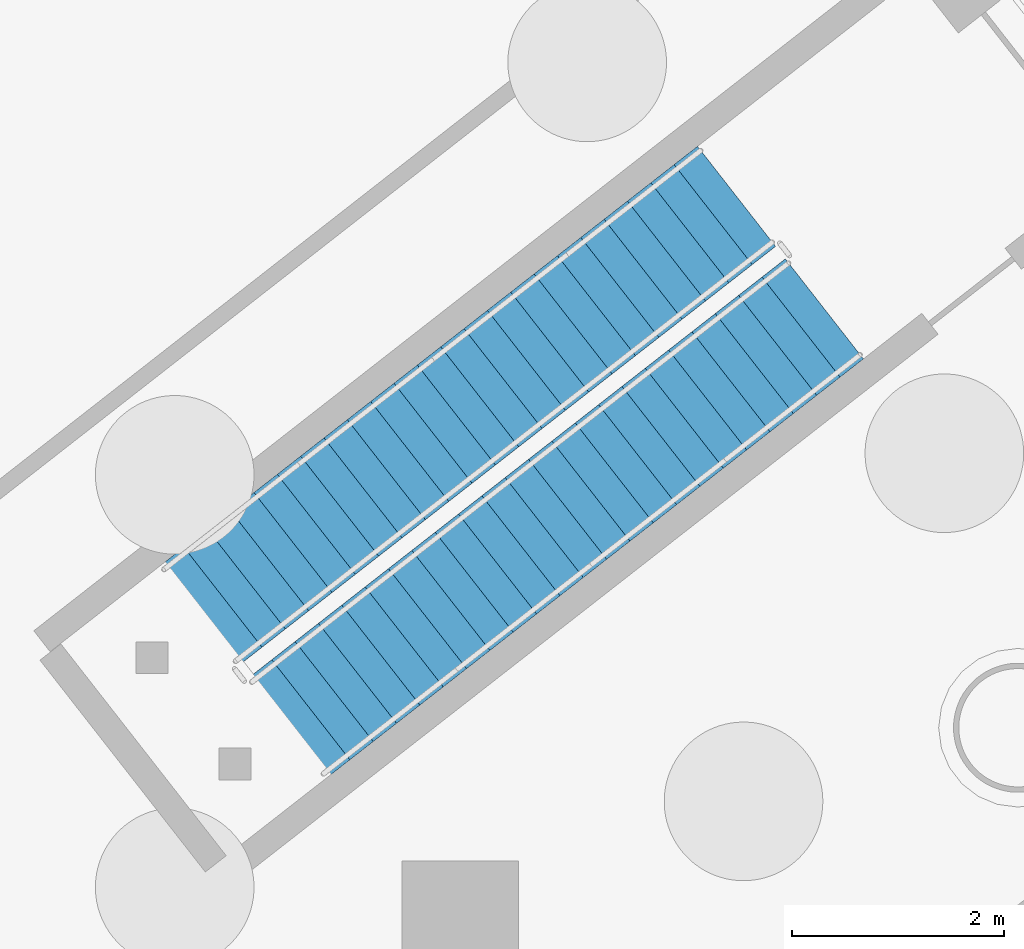
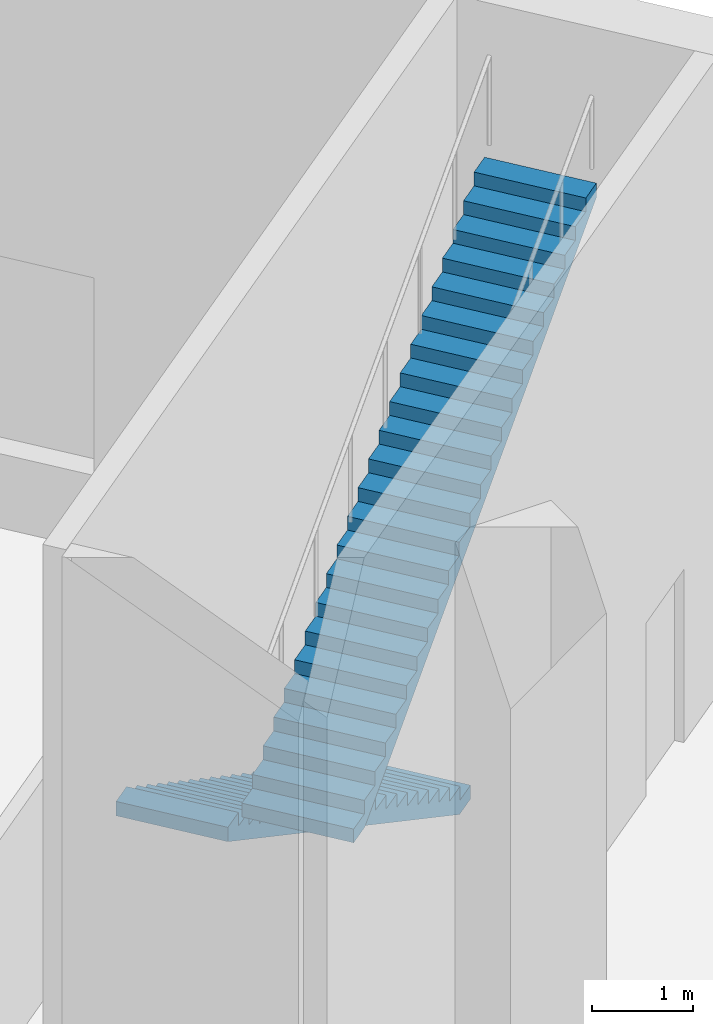
# One storey, part 26 of 34: 2 stair flights, 1 element without a shape of its own.
"""IFC4 building model written with IfcOpenShell, lengths in metres."""

from ifc_helpers import new_model, si_unit, direction, frame, origin, place, context, subcontext, project, spatial, faceted_brep, material, type_object, element, aggregate, save


model = new_model("IFC4")

# Units and contexts
model_context = context("Model", 3, precision=1e-05, world=origin(), true_north=direction((0.0, 1.0)))
body_context = subcontext(model_context, "Body", "Model", "MODEL_VIEW")
ifc_project = project(units=[si_unit("LENGTHUNIT", "METRE"), si_unit("AREAUNIT", "SQUARE_METRE"), si_unit("VOLUMEUNIT", "CUBIC_METRE"), si_unit("PLANEANGLEUNIT", "RADIAN"), si_unit("MASSUNIT", "GRAM", prefix="KILO")], contexts=[model_context])

# Site, building, storey
site_placement = place(None, origin())
site = spatial("IfcSite", under=ifc_project, at=site_placement, CompositionType="ELEMENT")
building_placement = place(site_placement, origin())
building = spatial("IfcBuilding", under=site, at=building_placement, Name="Tarsis Ring Headquarters", CompositionType="ELEMENT")
storey_placement = place(building_placement, origin())
storey = spatial("IfcBuildingStorey", under=building, at=storey_placement, Name="L00", CompositionType="ELEMENT", Elevation=0.0)

# Stair, stair flights
ifc_material = material(Name="Concrete C40/50", Category="concrete")
stair_type = type_object("IfcStairType", Name="PO-ST", PredefinedType="HALF_TURN_STAIR", material=ifc_material)
stair_placement = place(storey_placement, origin())
stair = element("IfcStair", 1, at=stair_placement, inside=storey, type_object=stair_type, Name="L00 Podium stair", PredefinedType="HALF_TURN_STAIR")
stair_flight_type = type_object("IfcStairFlightType", Name="PO-STF", PredefinedType="STRAIGHT", material=ifc_material)
stair_flight_1_placement = place(storey_placement, frame((-6.387939453125, 33.8330078125, 0.0), z_axis=(0.0, 0.0, 1.0), x_axis=(-0.788276433435, -0.615321269331, 0.0)))
stair_flight_1 = element("IfcStairFlight", 2, at=stair_flight_1_placement, type_object=stair_flight_type, Name="Stair PS3 flight 1", NumberOfRisers=24, NumberOfTreads=23, PredefinedType="STRAIGHT", RiserHeight=0.166666667, TreadLength=0.28, context=body_context, shape_type="Brep", body=[
    faceted_brep([(0.0, 0.60009765625, 0.0), (0.0, 0.60009765625, 0.166748046875), (0.280029296875, 0.60009765625, 0.166748046875), (0.280029296875, 0.60009765625, 0.333251953125), (0.56005859375, 0.60009765625, 0.333251953125), (0.56005859375, 0.60009765625, 0.5), (0.840087890625, 0.60009765625, 0.5), (0.840087890625, 0.60009765625, 0.666748046875), (1.1201171875, 0.60009765625, 0.666748046875), (1.1201171875, 0.60009765625, 0.833251953125), (1.39990234375, 0.60009765625, 0.833251953125), (1.39990234375, 0.60009765625, 1.0), (1.679931640625, 0.60009765625, 1.0), (1.679931640625, 0.60009765625, 1.166748046875), (1.9599609375, 0.60009765625, 1.166748046875), (1.9599609375, 0.60009765625, 1.333251953125), (2.239990234375, 0.60009765625, 1.333251953125), (2.239990234375, 0.60009765625, 1.5), (2.52001953125, 0.60009765625, 1.5), (2.52001953125, 0.60009765625, 1.666748046875), (2.800048828125, 0.60009765625, 1.666748046875), (2.800048828125, 0.60009765625, 1.833251953125), (3.080078125, 0.60009765625, 1.833251953125), (3.080078125, 0.60009765625, 2.0), (3.360107421875, 0.60009765625, 2.0), (3.360107421875, 0.60009765625, 2.166748046875), (3.639892578125, 0.60009765625, 2.166748046875), (3.639892578125, 0.60009765625, 2.333251953125), (3.919921875, 0.60009765625, 2.333251953125), (3.919921875, 0.60009765625, 2.5), (4.199951171875, 0.60009765625, 2.5), (4.199951171875, 0.60009765625, 2.666748046875), (4.47998046875, 0.60009765625, 2.666748046875), (4.47998046875, 0.60009765625, 2.833251953125), (4.760009765625, 0.60009765625, 2.833251953125), (4.760009765625, 0.60009765625, 3.0), (5.0400390625, 0.60009765625, 3.0), (5.0400390625, 0.60009765625, 3.166748046875), (5.320068359375, 0.60009765625, 3.166748046875), (5.320068359375, 0.60009765625, 3.333251953125), (5.60009765625, 0.60009765625, 3.333251953125), (5.60009765625, 0.60009765625, 3.5), (5.8798828125, 0.60009765625, 3.5), (5.8798828125, 0.60009765625, 3.666748046875), (6.159912109375, 0.60009765625, 3.666748046875), (6.159912109375, 0.60009765625, 3.833251953125), (6.43994140625, 0.60009765625, 3.833251953125), (6.43994140625, 0.60009765625, 3.658935546875), (0.29296875, 0.60009765625, 0.0), (0.29296875, -0.60009765625, 0.0), (6.43994140625, -0.60009765625, 3.658935546875), (6.43994140625, -0.60009765625, 3.833251953125), (6.159912109375, -0.60009765625, 3.833251953125), (6.159912109375, -0.60009765625, 3.666748046875), (5.8798828125, -0.60009765625, 3.666748046875), (5.8798828125, -0.60009765625, 3.5), (5.60009765625, -0.60009765625, 3.5), (5.60009765625, -0.60009765625, 3.333251953125), (5.320068359375, -0.60009765625, 3.333251953125), (5.320068359375, -0.60009765625, 3.166748046875), (5.0400390625, -0.60009765625, 3.166748046875), (5.0400390625, -0.60009765625, 3.0), (4.760009765625, -0.60009765625, 3.0), (4.760009765625, -0.60009765625, 2.833251953125), (4.47998046875, -0.60009765625, 2.833251953125), (4.47998046875, -0.60009765625, 2.666748046875), (4.199951171875, -0.60009765625, 2.666748046875), (4.199951171875, -0.60009765625, 2.5), (3.919921875, -0.60009765625, 2.5), (3.919921875, -0.60009765625, 2.333251953125), (3.639892578125, -0.60009765625, 2.333251953125), (3.639892578125, -0.60009765625, 2.166748046875), (3.360107421875, -0.60009765625, 2.166748046875), (3.360107421875, -0.60009765625, 2.0), (3.080078125, -0.60009765625, 2.0), (3.080078125, -0.60009765625, 1.833251953125), (2.800048828125, -0.60009765625, 1.833251953125), (2.800048828125, -0.60009765625, 1.666748046875), (2.52001953125, -0.60009765625, 1.666748046875), (2.52001953125, -0.60009765625, 1.5), (2.239990234375, -0.60009765625, 1.5), (2.239990234375, -0.60009765625, 1.333251953125), (1.9599609375, -0.60009765625, 1.333251953125), (1.9599609375, -0.60009765625, 1.166748046875), (1.679931640625, -0.60009765625, 1.166748046875), (1.679931640625, -0.60009765625, 1.0), (1.39990234375, -0.60009765625, 1.0), (1.39990234375, -0.60009765625, 0.833251953125), (1.1201171875, -0.60009765625, 0.833251953125), (1.1201171875, -0.60009765625, 0.666748046875), (0.840087890625, -0.60009765625, 0.666748046875), (0.840087890625, -0.60009765625, 0.5), (0.56005859375, -0.60009765625, 0.5), (0.56005859375, -0.60009765625, 0.333251953125), (0.280029296875, -0.60009765625, 0.333251953125), (0.280029296875, -0.60009765625, 0.166748046875), (0.0, -0.60009765625, 0.166748046875), (0.0, -0.60009765625, 0.0), (0.0, -0.300048828125, 0.166748046875), (0.0, -0.300048828125, 0.0), (0.0, 0.0, 0.166748046875), (0.0, 0.0, 0.0), (0.0, 0.300048828125, 0.166748046875), (0.0, 0.300048828125, 0.0), (0.280029296875, -0.300048828125, 0.166748046875), (0.280029296875, 0.0, 0.166748046875), (0.280029296875, 0.300048828125, 0.166748046875), (0.280029296875, -0.300048828125, 0.333251953125), (0.280029296875, 0.0, 0.333251953125), (0.280029296875, 0.300048828125, 0.333251953125), (0.56005859375, -0.300048828125, 0.333251953125), (0.56005859375, 0.0, 0.333251953125), (0.56005859375, 0.300048828125, 0.333251953125), (0.56005859375, -0.300048828125, 0.5), (0.56005859375, 0.0, 0.5), (0.56005859375, 0.300048828125, 0.5), (0.840087890625, -0.300048828125, 0.5), (0.840087890625, 0.0, 0.5), (0.840087890625, 0.300048828125, 0.5), (0.840087890625, -0.300048828125, 0.666748046875), (0.840087890625, 0.0, 0.666748046875), (0.840087890625, 0.300048828125, 0.666748046875), (1.1201171875, -0.300048828125, 0.666748046875), (1.1201171875, 0.0, 0.666748046875), (1.1201171875, 0.300048828125, 0.666748046875), (1.1201171875, -0.300048828125, 0.833251953125), (1.1201171875, 0.0, 0.833251953125), (1.1201171875, 0.300048828125, 0.833251953125), (1.39990234375, -0.300048828125, 0.833251953125), (1.39990234375, 0.0, 0.833251953125), (1.39990234375, 0.300048828125, 0.833251953125), (1.39990234375, -0.300048828125, 1.0), (1.39990234375, 0.0, 1.0), (1.39990234375, 0.300048828125, 1.0), (1.679931640625, -0.300048828125, 1.0), (1.679931640625, 0.0, 1.0), (1.679931640625, 0.300048828125, 1.0), (1.679931640625, -0.300048828125, 1.166748046875), (1.679931640625, 0.0, 1.166748046875), (1.679931640625, 0.300048828125, 1.166748046875), (1.9599609375, -0.300048828125, 1.166748046875), (1.9599609375, 0.0, 1.166748046875), (1.9599609375, 0.300048828125, 1.166748046875), (1.9599609375, -0.300048828125, 1.333251953125), (1.9599609375, 0.0, 1.333251953125), (1.9599609375, 0.300048828125, 1.333251953125), (2.239990234375, -0.300048828125, 1.333251953125), (2.239990234375, 0.0, 1.333251953125), (2.239990234375, 0.300048828125, 1.333251953125), (2.239990234375, -0.300048828125, 1.5), (2.239990234375, 0.0, 1.5), (2.239990234375, 0.300048828125, 1.5), (2.52001953125, -0.300048828125, 1.5), (2.52001953125, 0.0, 1.5), (2.52001953125, 0.300048828125, 1.5), (2.52001953125, -0.300048828125, 1.666748046875), (2.52001953125, 0.0, 1.666748046875), (2.52001953125, 0.300048828125, 1.666748046875), (2.800048828125, -0.300048828125, 1.666748046875), (2.800048828125, 0.0, 1.666748046875), (2.800048828125, 0.300048828125, 1.666748046875), (2.800048828125, -0.300048828125, 1.833251953125), (2.800048828125, 0.0, 1.833251953125), (2.800048828125, 0.300048828125, 1.833251953125), (3.080078125, -0.300048828125, 1.833251953125), (3.080078125, 0.0, 1.833251953125), (3.080078125, 0.300048828125, 1.833251953125), (3.080078125, -0.300048828125, 2.0), (3.080078125, 0.0, 2.0), (3.080078125, 0.300048828125, 2.0), (3.360107421875, -0.300048828125, 2.0), (3.360107421875, 0.0, 2.0), (3.360107421875, 0.300048828125, 2.0), (3.360107421875, -0.300048828125, 2.166748046875), (3.360107421875, 0.0, 2.166748046875), (3.360107421875, 0.300048828125, 2.166748046875), (3.639892578125, -0.300048828125, 2.166748046875), (3.639892578125, 0.0, 2.166748046875), (3.639892578125, 0.300048828125, 2.166748046875), (3.639892578125, -0.300048828125, 2.333251953125), (3.639892578125, 0.0, 2.333251953125), (3.639892578125, 0.300048828125, 2.333251953125), (3.919921875, -0.300048828125, 2.333251953125), (3.919921875, 0.0, 2.333251953125), (3.919921875, 0.300048828125, 2.333251953125), (3.919921875, -0.300048828125, 2.5), (3.919921875, 0.0, 2.5), (3.919921875, 0.300048828125, 2.5), (4.199951171875, -0.300048828125, 2.5), (4.199951171875, 0.0, 2.5), (4.199951171875, 0.300048828125, 2.5), (4.199951171875, -0.300048828125, 2.666748046875), (4.199951171875, 0.0, 2.666748046875), (4.199951171875, 0.300048828125, 2.666748046875), (4.47998046875, -0.300048828125, 2.666748046875), (4.47998046875, 0.0, 2.666748046875), (4.47998046875, 0.300048828125, 2.666748046875), (4.47998046875, -0.300048828125, 2.833251953125), (4.47998046875, 0.0, 2.833251953125), (4.47998046875, 0.300048828125, 2.833251953125), (4.760009765625, -0.300048828125, 2.833251953125), (4.760009765625, 0.0, 2.833251953125), (4.760009765625, 0.300048828125, 2.833251953125), (4.760009765625, -0.300048828125, 3.0), (4.760009765625, 0.0, 3.0), (4.760009765625, 0.300048828125, 3.0), (5.0400390625, -0.300048828125, 3.0), (5.0400390625, 0.0, 3.0), (5.0400390625, 0.300048828125, 3.0), (5.0400390625, -0.300048828125, 3.166748046875), (5.0400390625, 0.0, 3.166748046875), (5.0400390625, 0.300048828125, 3.166748046875), (5.320068359375, -0.300048828125, 3.166748046875), (5.320068359375, 0.0, 3.166748046875), (5.320068359375, 0.300048828125, 3.166748046875), (5.320068359375, -0.300048828125, 3.333251953125), (5.320068359375, 0.0, 3.333251953125), (5.320068359375, 0.300048828125, 3.333251953125), (5.60009765625, -0.300048828125, 3.333251953125), (5.60009765625, 0.0, 3.333251953125), (5.60009765625, 0.300048828125, 3.333251953125), (5.60009765625, -0.300048828125, 3.5), (5.60009765625, 0.0, 3.5), (5.60009765625, 0.300048828125, 3.5), (5.8798828125, -0.300048828125, 3.5), (5.8798828125, 0.0, 3.5), (5.8798828125, 0.300048828125, 3.5), (5.8798828125, -0.300048828125, 3.666748046875), (5.8798828125, 0.0, 3.666748046875), (5.8798828125, 0.300048828125, 3.666748046875), (6.159912109375, -0.300048828125, 3.666748046875), (6.159912109375, 0.0, 3.666748046875), (6.159912109375, 0.300048828125, 3.666748046875), (6.159912109375, -0.300048828125, 3.833251953125), (6.159912109375, 0.0, 3.833251953125), (6.159912109375, 0.300048828125, 3.833251953125), (6.43994140625, -0.300048828125, 3.833251953125), (6.43994140625, 0.0, 3.833251953125), (6.43994140625, 0.300048828125, 3.833251953125), (6.43994140625, -0.300048828125, 3.658935546875), (6.43994140625, 0.0, 3.658935546875), (6.43994140625, 0.300048828125, 3.658935546875), (0.29296875, -0.300048828125, 0.0), (0.29296875, 0.0, 0.0), (0.29296875, 0.300048828125, 0.0)], [[[0, 1, 2, 3, 4, 5, 6, 7, 8, 9, 10, 11, 12, 13, 14, 15, 16, 17, 18, 19, 20, 21, 22, 23, 24, 25, 26, 27, 28, 29, 30, 31, 32, 33, 34, 35, 36, 37, 38, 39, 40, 41, 42, 43, 44, 45, 46, 47, 48]], [[49, 50, 51, 52, 53, 54, 55, 56, 57, 58, 59, 60, 61, 62, 63, 64, 65, 66, 67, 68, 69, 70, 71, 72, 73, 74, 75, 76, 77, 78, 79, 80, 81, 82, 83, 84, 85, 86, 87, 88, 89, 90, 91, 92, 93, 94, 95, 96, 97]], [[97, 96, 98, 99]], [[99, 98, 100, 101]], [[101, 100, 102, 103]], [[103, 102, 1, 0]], [[96, 95, 104, 98]], [[98, 104, 105, 100]], [[100, 105, 106, 102]], [[102, 106, 2, 1]], [[95, 94, 107, 104]], [[104, 107, 108, 105]], [[105, 108, 109, 106]], [[106, 109, 3, 2]], [[94, 93, 110, 107]], [[107, 110, 111, 108]], [[108, 111, 112, 109]], [[109, 112, 4, 3]], [[93, 92, 113, 110]], [[110, 113, 114, 111]], [[111, 114, 115, 112]], [[112, 115, 5, 4]], [[92, 91, 116, 113]], [[113, 116, 117, 114]], [[114, 117, 118, 115]], [[115, 118, 6, 5]], [[91, 90, 119, 116]], [[116, 119, 120, 117]], [[117, 120, 121, 118]], [[118, 121, 7, 6]], [[90, 89, 122, 119]], [[119, 122, 123, 120]], [[120, 123, 124, 121]], [[121, 124, 8, 7]], [[89, 88, 125, 122]], [[122, 125, 126, 123]], [[123, 126, 127, 124]], [[124, 127, 9, 8]], [[88, 87, 128, 125]], [[125, 128, 129, 126]], [[126, 129, 130, 127]], [[127, 130, 10, 9]], [[87, 86, 131, 128]], [[128, 131, 132, 129]], [[129, 132, 133, 130]], [[130, 133, 11, 10]], [[86, 85, 134, 131]], [[131, 134, 135, 132]], [[132, 135, 136, 133]], [[133, 136, 12, 11]], [[85, 84, 137, 134]], [[134, 137, 138, 135]], [[135, 138, 139, 136]], [[136, 139, 13, 12]], [[84, 83, 140, 137]], [[137, 140, 141, 138]], [[138, 141, 142, 139]], [[139, 142, 14, 13]], [[83, 82, 143, 140]], [[140, 143, 144, 141]], [[141, 144, 145, 142]], [[142, 145, 15, 14]], [[82, 81, 146, 143]], [[143, 146, 147, 144]], [[144, 147, 148, 145]], [[145, 148, 16, 15]], [[81, 80, 149, 146]], [[146, 149, 150, 147]], [[147, 150, 151, 148]], [[148, 151, 17, 16]], [[80, 79, 152, 149]], [[149, 152, 153, 150]], [[150, 153, 154, 151]], [[151, 154, 18, 17]], [[79, 78, 155, 152]], [[152, 155, 156, 153]], [[153, 156, 157, 154]], [[154, 157, 19, 18]], [[78, 77, 158, 155]], [[155, 158, 159, 156]], [[156, 159, 160, 157]], [[157, 160, 20, 19]], [[77, 76, 161, 158]], [[158, 161, 162, 159]], [[159, 162, 163, 160]], [[160, 163, 21, 20]], [[76, 75, 164, 161]], [[161, 164, 165, 162]], [[162, 165, 166, 163]], [[163, 166, 22, 21]], [[75, 74, 167, 164]], [[164, 167, 168, 165]], [[165, 168, 169, 166]], [[166, 169, 23, 22]], [[74, 73, 170, 167]], [[167, 170, 171, 168]], [[168, 171, 172, 169]], [[169, 172, 24, 23]], [[73, 72, 173, 170]], [[170, 173, 174, 171]], [[171, 174, 175, 172]], [[172, 175, 25, 24]], [[72, 71, 176, 173]], [[173, 176, 177, 174]], [[174, 177, 178, 175]], [[175, 178, 26, 25]], [[71, 70, 179, 176]], [[176, 179, 180, 177]], [[177, 180, 181, 178]], [[178, 181, 27, 26]], [[70, 69, 182, 179]], [[179, 182, 183, 180]], [[180, 183, 184, 181]], [[181, 184, 28, 27]], [[69, 68, 185, 182]], [[182, 185, 186, 183]], [[183, 186, 187, 184]], [[184, 187, 29, 28]], [[68, 67, 188, 185]], [[185, 188, 189, 186]], [[186, 189, 190, 187]], [[187, 190, 30, 29]], [[67, 66, 191, 188]], [[188, 191, 192, 189]], [[189, 192, 193, 190]], [[190, 193, 31, 30]], [[66, 65, 194, 191]], [[191, 194, 195, 192]], [[192, 195, 196, 193]], [[193, 196, 32, 31]], [[65, 64, 197, 194]], [[194, 197, 198, 195]], [[195, 198, 199, 196]], [[196, 199, 33, 32]], [[64, 63, 200, 197]], [[197, 200, 201, 198]], [[198, 201, 202, 199]], [[199, 202, 34, 33]], [[63, 62, 203, 200]], [[200, 203, 204, 201]], [[201, 204, 205, 202]], [[202, 205, 35, 34]], [[62, 61, 206, 203]], [[203, 206, 207, 204]], [[204, 207, 208, 205]], [[205, 208, 36, 35]], [[61, 60, 209, 206]], [[206, 209, 210, 207]], [[207, 210, 211, 208]], [[208, 211, 37, 36]], [[60, 59, 212, 209]], [[209, 212, 213, 210]], [[210, 213, 214, 211]], [[211, 214, 38, 37]], [[59, 58, 215, 212]], [[212, 215, 216, 213]], [[213, 216, 217, 214]], [[214, 217, 39, 38]], [[58, 57, 218, 215]], [[215, 218, 219, 216]], [[216, 219, 220, 217]], [[217, 220, 40, 39]], [[57, 56, 221, 218]], [[218, 221, 222, 219]], [[219, 222, 223, 220]], [[220, 223, 41, 40]], [[56, 55, 224, 221]], [[221, 224, 225, 222]], [[222, 225, 226, 223]], [[223, 226, 42, 41]], [[55, 54, 227, 224]], [[224, 227, 228, 225]], [[225, 228, 229, 226]], [[226, 229, 43, 42]], [[54, 53, 230, 227]], [[227, 230, 231, 228]], [[228, 231, 232, 229]], [[229, 232, 44, 43]], [[53, 52, 233, 230]], [[230, 233, 234, 231]], [[231, 234, 235, 232]], [[232, 235, 45, 44]], [[52, 51, 236, 233]], [[233, 236, 237, 234]], [[234, 237, 238, 235]], [[235, 238, 46, 45]], [[51, 50, 239, 236]], [[236, 239, 240, 237]], [[237, 240, 241, 238]], [[238, 241, 47, 46]], [[50, 49, 242, 239]], [[239, 242, 243, 240]], [[240, 243, 244, 241]], [[241, 244, 48, 47]], [[49, 97, 99, 242]], [[242, 99, 101, 243]], [[243, 101, 103, 244]], [[244, 103, 0, 48]]]),
])
stair_flight_2_placement = place(storey_placement, frame((-10.633544921875, 28.80615234375, 4.0), z_axis=(0.0, 0.0, 1.0), x_axis=(0.788276433435, 0.615321269331, 0.0)))
stair_flight_2 = element("IfcStairFlight", 3, at=stair_flight_2_placement, type_object=stair_flight_type, Name="Stair PS3 flight 2", NumberOfRisers=24, NumberOfTreads=23, PredefinedType="STRAIGHT", RiserHeight=0.166666667, TreadLength=0.28, context=body_context, shape_type="Brep", body=[
    faceted_brep([(0.0, 0.60009765625, 0.0), (0.0, 0.60009765625, 0.166748046875), (0.280029296875, 0.60009765625, 0.166748046875), (0.280029296875, 0.60009765625, 0.333251953125), (0.56005859375, 0.60009765625, 0.333251953125), (0.56005859375, 0.60009765625, 0.5), (0.840087890625, 0.60009765625, 0.5), (0.840087890625, 0.60009765625, 0.666748046875), (1.1201171875, 0.60009765625, 0.666748046875), (1.1201171875, 0.60009765625, 0.833251953125), (1.39990234375, 0.60009765625, 0.833251953125), (1.39990234375, 0.60009765625, 1.0), (1.679931640625, 0.60009765625, 1.0), (1.679931640625, 0.60009765625, 1.166748046875), (1.9599609375, 0.60009765625, 1.166748046875), (1.9599609375, 0.60009765625, 1.333251953125), (2.239990234375, 0.60009765625, 1.333251953125), (2.239990234375, 0.60009765625, 1.5), (2.52001953125, 0.60009765625, 1.5), (2.52001953125, 0.60009765625, 1.666748046875), (2.800048828125, 0.60009765625, 1.666748046875), (2.800048828125, 0.60009765625, 1.833251953125), (3.080078125, 0.60009765625, 1.833251953125), (3.080078125, 0.60009765625, 2.0), (3.360107421875, 0.60009765625, 2.0), (3.360107421875, 0.60009765625, 2.166748046875), (3.639892578125, 0.60009765625, 2.166748046875), (3.639892578125, 0.60009765625, 2.333251953125), (3.919921875, 0.60009765625, 2.333251953125), (3.919921875, 0.60009765625, 2.5), (4.199951171875, 0.60009765625, 2.5), (4.199951171875, 0.60009765625, 2.666748046875), (4.47998046875, 0.60009765625, 2.666748046875), (4.47998046875, 0.60009765625, 2.833251953125), (4.760009765625, 0.60009765625, 2.833251953125), (4.760009765625, 0.60009765625, 3.0), (5.0400390625, 0.60009765625, 3.0), (5.0400390625, 0.60009765625, 3.166748046875), (5.320068359375, 0.60009765625, 3.166748046875), (5.320068359375, 0.60009765625, 3.333251953125), (5.60009765625, 0.60009765625, 3.333251953125), (5.60009765625, 0.60009765625, 3.5), (5.8798828125, 0.60009765625, 3.5), (5.8798828125, 0.60009765625, 3.666748046875), (6.159912109375, 0.60009765625, 3.666748046875), (6.159912109375, 0.60009765625, 3.833251953125), (6.43994140625, 0.60009765625, 3.833251953125), (6.43994140625, 0.60009765625, 3.658935546875), (0.29296875, 0.60009765625, 0.0), (0.29296875, -0.60009765625, 0.0), (6.43994140625, -0.60009765625, 3.658935546875), (6.43994140625, -0.60009765625, 3.833251953125), (6.159912109375, -0.60009765625, 3.833251953125), (6.159912109375, -0.60009765625, 3.666748046875), (5.8798828125, -0.60009765625, 3.666748046875), (5.8798828125, -0.60009765625, 3.5), (5.60009765625, -0.60009765625, 3.5), (5.60009765625, -0.60009765625, 3.333251953125), (5.320068359375, -0.60009765625, 3.333251953125), (5.320068359375, -0.60009765625, 3.166748046875), (5.0400390625, -0.60009765625, 3.166748046875), (5.0400390625, -0.60009765625, 3.0), (4.760009765625, -0.60009765625, 3.0), (4.760009765625, -0.60009765625, 2.833251953125), (4.47998046875, -0.60009765625, 2.833251953125), (4.47998046875, -0.60009765625, 2.666748046875), (4.199951171875, -0.60009765625, 2.666748046875), (4.199951171875, -0.60009765625, 2.5), (3.919921875, -0.60009765625, 2.5), (3.919921875, -0.60009765625, 2.333251953125), (3.639892578125, -0.60009765625, 2.333251953125), (3.639892578125, -0.60009765625, 2.166748046875), (3.360107421875, -0.60009765625, 2.166748046875), (3.360107421875, -0.60009765625, 2.0), (3.080078125, -0.60009765625, 2.0), (3.080078125, -0.60009765625, 1.833251953125), (2.800048828125, -0.60009765625, 1.833251953125), (2.800048828125, -0.60009765625, 1.666748046875), (2.52001953125, -0.60009765625, 1.666748046875), (2.52001953125, -0.60009765625, 1.5), (2.239990234375, -0.60009765625, 1.5), (2.239990234375, -0.60009765625, 1.333251953125), (1.9599609375, -0.60009765625, 1.333251953125), (1.9599609375, -0.60009765625, 1.166748046875), (1.679931640625, -0.60009765625, 1.166748046875), (1.679931640625, -0.60009765625, 1.0), (1.39990234375, -0.60009765625, 1.0), (1.39990234375, -0.60009765625, 0.833251953125), (1.1201171875, -0.60009765625, 0.833251953125), (1.1201171875, -0.60009765625, 0.666748046875), (0.840087890625, -0.60009765625, 0.666748046875), (0.840087890625, -0.60009765625, 0.5), (0.56005859375, -0.60009765625, 0.5), (0.56005859375, -0.60009765625, 0.333251953125), (0.280029296875, -0.60009765625, 0.333251953125), (0.280029296875, -0.60009765625, 0.166748046875), (0.0, -0.60009765625, 0.166748046875), (0.0, -0.60009765625, 0.0), (0.0, -0.300048828125, 0.166748046875), (0.0, -0.300048828125, 0.0), (0.0, 0.0, 0.166748046875), (0.0, 0.0, 0.0), (0.0, 0.300048828125, 0.166748046875), (0.0, 0.300048828125, 0.0), (0.280029296875, -0.300048828125, 0.166748046875), (0.280029296875, 0.0, 0.166748046875), (0.280029296875, 0.300048828125, 0.166748046875), (0.280029296875, -0.300048828125, 0.333251953125), (0.280029296875, 0.0, 0.333251953125), (0.280029296875, 0.300048828125, 0.333251953125), (0.56005859375, -0.300048828125, 0.333251953125), (0.56005859375, 0.0, 0.333251953125), (0.56005859375, 0.300048828125, 0.333251953125), (0.56005859375, -0.300048828125, 0.5), (0.56005859375, 0.0, 0.5), (0.56005859375, 0.300048828125, 0.5), (0.840087890625, -0.300048828125, 0.5), (0.840087890625, 0.0, 0.5), (0.840087890625, 0.300048828125, 0.5), (0.840087890625, -0.300048828125, 0.666748046875), (0.840087890625, 0.0, 0.666748046875), (0.840087890625, 0.300048828125, 0.666748046875), (1.1201171875, -0.300048828125, 0.666748046875), (1.1201171875, 0.0, 0.666748046875), (1.1201171875, 0.300048828125, 0.666748046875), (1.1201171875, -0.300048828125, 0.833251953125), (1.1201171875, 0.0, 0.833251953125), (1.1201171875, 0.300048828125, 0.833251953125), (1.39990234375, -0.300048828125, 0.833251953125), (1.39990234375, 0.0, 0.833251953125), (1.39990234375, 0.300048828125, 0.833251953125), (1.39990234375, -0.300048828125, 1.0), (1.39990234375, 0.0, 1.0), (1.39990234375, 0.300048828125, 1.0), (1.679931640625, -0.300048828125, 1.0), (1.679931640625, 0.0, 1.0), (1.679931640625, 0.300048828125, 1.0), (1.679931640625, -0.300048828125, 1.166748046875), (1.679931640625, 0.0, 1.166748046875), (1.679931640625, 0.300048828125, 1.166748046875), (1.9599609375, -0.300048828125, 1.166748046875), (1.9599609375, 0.0, 1.166748046875), (1.9599609375, 0.300048828125, 1.166748046875), (1.9599609375, -0.300048828125, 1.333251953125), (1.9599609375, 0.0, 1.333251953125), (1.9599609375, 0.300048828125, 1.333251953125), (2.239990234375, -0.300048828125, 1.333251953125), (2.239990234375, 0.0, 1.333251953125), (2.239990234375, 0.300048828125, 1.333251953125), (2.239990234375, -0.300048828125, 1.5), (2.239990234375, 0.0, 1.5), (2.239990234375, 0.300048828125, 1.5), (2.52001953125, -0.300048828125, 1.5), (2.52001953125, 0.0, 1.5), (2.52001953125, 0.300048828125, 1.5), (2.52001953125, -0.300048828125, 1.666748046875), (2.52001953125, 0.0, 1.666748046875), (2.52001953125, 0.300048828125, 1.666748046875), (2.800048828125, -0.300048828125, 1.666748046875), (2.800048828125, 0.0, 1.666748046875), (2.800048828125, 0.300048828125, 1.666748046875), (2.800048828125, -0.300048828125, 1.833251953125), (2.800048828125, 0.0, 1.833251953125), (2.800048828125, 0.300048828125, 1.833251953125), (3.080078125, -0.300048828125, 1.833251953125), (3.080078125, 0.0, 1.833251953125), (3.080078125, 0.300048828125, 1.833251953125), (3.080078125, -0.300048828125, 2.0), (3.080078125, 0.0, 2.0), (3.080078125, 0.300048828125, 2.0), (3.360107421875, -0.300048828125, 2.0), (3.360107421875, 0.0, 2.0), (3.360107421875, 0.300048828125, 2.0), (3.360107421875, -0.300048828125, 2.166748046875), (3.360107421875, 0.0, 2.166748046875), (3.360107421875, 0.300048828125, 2.166748046875), (3.639892578125, -0.300048828125, 2.166748046875), (3.639892578125, 0.0, 2.166748046875), (3.639892578125, 0.300048828125, 2.166748046875), (3.639892578125, -0.300048828125, 2.333251953125), (3.639892578125, 0.0, 2.333251953125), (3.639892578125, 0.300048828125, 2.333251953125), (3.919921875, -0.300048828125, 2.333251953125), (3.919921875, 0.0, 2.333251953125), (3.919921875, 0.300048828125, 2.333251953125), (3.919921875, -0.300048828125, 2.5), (3.919921875, 0.0, 2.5), (3.919921875, 0.300048828125, 2.5), (4.199951171875, -0.300048828125, 2.5), (4.199951171875, 0.0, 2.5), (4.199951171875, 0.300048828125, 2.5), (4.199951171875, -0.300048828125, 2.666748046875), (4.199951171875, 0.0, 2.666748046875), (4.199951171875, 0.300048828125, 2.666748046875), (4.47998046875, -0.300048828125, 2.666748046875), (4.47998046875, 0.0, 2.666748046875), (4.47998046875, 0.300048828125, 2.666748046875), (4.47998046875, -0.300048828125, 2.833251953125), (4.47998046875, 0.0, 2.833251953125), (4.47998046875, 0.300048828125, 2.833251953125), (4.760009765625, -0.300048828125, 2.833251953125), (4.760009765625, 0.0, 2.833251953125), (4.760009765625, 0.300048828125, 2.833251953125), (4.760009765625, -0.300048828125, 3.0), (4.760009765625, 0.0, 3.0), (4.760009765625, 0.300048828125, 3.0), (5.0400390625, -0.300048828125, 3.0), (5.0400390625, 0.0, 3.0), (5.0400390625, 0.300048828125, 3.0), (5.0400390625, -0.300048828125, 3.166748046875), (5.0400390625, 0.0, 3.166748046875), (5.0400390625, 0.300048828125, 3.166748046875), (5.320068359375, -0.300048828125, 3.166748046875), (5.320068359375, 0.0, 3.166748046875), (5.320068359375, 0.300048828125, 3.166748046875), (5.320068359375, -0.300048828125, 3.333251953125), (5.320068359375, 0.0, 3.333251953125), (5.320068359375, 0.300048828125, 3.333251953125), (5.60009765625, -0.300048828125, 3.333251953125), (5.60009765625, 0.0, 3.333251953125), (5.60009765625, 0.300048828125, 3.333251953125), (5.60009765625, -0.300048828125, 3.5), (5.60009765625, 0.0, 3.5), (5.60009765625, 0.300048828125, 3.5), (5.8798828125, -0.300048828125, 3.5), (5.8798828125, 0.0, 3.5), (5.8798828125, 0.300048828125, 3.5), (5.8798828125, -0.300048828125, 3.666748046875), (5.8798828125, 0.0, 3.666748046875), (5.8798828125, 0.300048828125, 3.666748046875), (6.159912109375, -0.300048828125, 3.666748046875), (6.159912109375, 0.0, 3.666748046875), (6.159912109375, 0.300048828125, 3.666748046875), (6.159912109375, -0.300048828125, 3.833251953125), (6.159912109375, 0.0, 3.833251953125), (6.159912109375, 0.300048828125, 3.833251953125), (6.43994140625, -0.300048828125, 3.833251953125), (6.43994140625, 0.0, 3.833251953125), (6.43994140625, 0.300048828125, 3.833251953125), (6.43994140625, -0.300048828125, 3.658935546875), (6.43994140625, 0.0, 3.658935546875), (6.43994140625, 0.300048828125, 3.658935546875), (0.29296875, -0.300048828125, 0.0), (0.29296875, 0.0, 0.0), (0.29296875, 0.300048828125, 0.0)], [[[0, 1, 2, 3, 4, 5, 6, 7, 8, 9, 10, 11, 12, 13, 14, 15, 16, 17, 18, 19, 20, 21, 22, 23, 24, 25, 26, 27, 28, 29, 30, 31, 32, 33, 34, 35, 36, 37, 38, 39, 40, 41, 42, 43, 44, 45, 46, 47, 48]], [[49, 50, 51, 52, 53, 54, 55, 56, 57, 58, 59, 60, 61, 62, 63, 64, 65, 66, 67, 68, 69, 70, 71, 72, 73, 74, 75, 76, 77, 78, 79, 80, 81, 82, 83, 84, 85, 86, 87, 88, 89, 90, 91, 92, 93, 94, 95, 96, 97]], [[97, 96, 98, 99]], [[99, 98, 100, 101]], [[101, 100, 102, 103]], [[103, 102, 1, 0]], [[96, 95, 104, 98]], [[98, 104, 105, 100]], [[100, 105, 106, 102]], [[102, 106, 2, 1]], [[95, 94, 107, 104]], [[104, 107, 108, 105]], [[105, 108, 109, 106]], [[106, 109, 3, 2]], [[94, 93, 110, 107]], [[107, 110, 111, 108]], [[108, 111, 112, 109]], [[109, 112, 4, 3]], [[93, 92, 113, 110]], [[110, 113, 114, 111]], [[111, 114, 115, 112]], [[112, 115, 5, 4]], [[92, 91, 116, 113]], [[113, 116, 117, 114]], [[114, 117, 118, 115]], [[115, 118, 6, 5]], [[91, 90, 119, 116]], [[116, 119, 120, 117]], [[117, 120, 121, 118]], [[118, 121, 7, 6]], [[90, 89, 122, 119]], [[119, 122, 123, 120]], [[120, 123, 124, 121]], [[121, 124, 8, 7]], [[89, 88, 125, 122]], [[122, 125, 126, 123]], [[123, 126, 127, 124]], [[124, 127, 9, 8]], [[88, 87, 128, 125]], [[125, 128, 129, 126]], [[126, 129, 130, 127]], [[127, 130, 10, 9]], [[87, 86, 131, 128]], [[128, 131, 132, 129]], [[129, 132, 133, 130]], [[130, 133, 11, 10]], [[86, 85, 134, 131]], [[131, 134, 135, 132]], [[132, 135, 136, 133]], [[133, 136, 12, 11]], [[85, 84, 137, 134]], [[134, 137, 138, 135]], [[135, 138, 139, 136]], [[136, 139, 13, 12]], [[84, 83, 140, 137]], [[137, 140, 141, 138]], [[138, 141, 142, 139]], [[139, 142, 14, 13]], [[83, 82, 143, 140]], [[140, 143, 144, 141]], [[141, 144, 145, 142]], [[142, 145, 15, 14]], [[82, 81, 146, 143]], [[143, 146, 147, 144]], [[144, 147, 148, 145]], [[145, 148, 16, 15]], [[81, 80, 149, 146]], [[146, 149, 150, 147]], [[147, 150, 151, 148]], [[148, 151, 17, 16]], [[80, 79, 152, 149]], [[149, 152, 153, 150]], [[150, 153, 154, 151]], [[151, 154, 18, 17]], [[79, 78, 155, 152]], [[152, 155, 156, 153]], [[153, 156, 157, 154]], [[154, 157, 19, 18]], [[78, 77, 158, 155]], [[155, 158, 159, 156]], [[156, 159, 160, 157]], [[157, 160, 20, 19]], [[77, 76, 161, 158]], [[158, 161, 162, 159]], [[159, 162, 163, 160]], [[160, 163, 21, 20]], [[76, 75, 164, 161]], [[161, 164, 165, 162]], [[162, 165, 166, 163]], [[163, 166, 22, 21]], [[75, 74, 167, 164]], [[164, 167, 168, 165]], [[165, 168, 169, 166]], [[166, 169, 23, 22]], [[74, 73, 170, 167]], [[167, 170, 171, 168]], [[168, 171, 172, 169]], [[169, 172, 24, 23]], [[73, 72, 173, 170]], [[170, 173, 174, 171]], [[171, 174, 175, 172]], [[172, 175, 25, 24]], [[72, 71, 176, 173]], [[173, 176, 177, 174]], [[174, 177, 178, 175]], [[175, 178, 26, 25]], [[71, 70, 179, 176]], [[176, 179, 180, 177]], [[177, 180, 181, 178]], [[178, 181, 27, 26]], [[70, 69, 182, 179]], [[179, 182, 183, 180]], [[180, 183, 184, 181]], [[181, 184, 28, 27]], [[69, 68, 185, 182]], [[182, 185, 186, 183]], [[183, 186, 187, 184]], [[184, 187, 29, 28]], [[68, 67, 188, 185]], [[185, 188, 189, 186]], [[186, 189, 190, 187]], [[187, 190, 30, 29]], [[67, 66, 191, 188]], [[188, 191, 192, 189]], [[189, 192, 193, 190]], [[190, 193, 31, 30]], [[66, 65, 194, 191]], [[191, 194, 195, 192]], [[192, 195, 196, 193]], [[193, 196, 32, 31]], [[65, 64, 197, 194]], [[194, 197, 198, 195]], [[195, 198, 199, 196]], [[196, 199, 33, 32]], [[64, 63, 200, 197]], [[197, 200, 201, 198]], [[198, 201, 202, 199]], [[199, 202, 34, 33]], [[63, 62, 203, 200]], [[200, 203, 204, 201]], [[201, 204, 205, 202]], [[202, 205, 35, 34]], [[62, 61, 206, 203]], [[203, 206, 207, 204]], [[204, 207, 208, 205]], [[205, 208, 36, 35]], [[61, 60, 209, 206]], [[206, 209, 210, 207]], [[207, 210, 211, 208]], [[208, 211, 37, 36]], [[60, 59, 212, 209]], [[209, 212, 213, 210]], [[210, 213, 214, 211]], [[211, 214, 38, 37]], [[59, 58, 215, 212]], [[212, 215, 216, 213]], [[213, 216, 217, 214]], [[214, 217, 39, 38]], [[58, 57, 218, 215]], [[215, 218, 219, 216]], [[216, 219, 220, 217]], [[217, 220, 40, 39]], [[57, 56, 221, 218]], [[218, 221, 222, 219]], [[219, 222, 223, 220]], [[220, 223, 41, 40]], [[56, 55, 224, 221]], [[221, 224, 225, 222]], [[222, 225, 226, 223]], [[223, 226, 42, 41]], [[55, 54, 227, 224]], [[224, 227, 228, 225]], [[225, 228, 229, 226]], [[226, 229, 43, 42]], [[54, 53, 230, 227]], [[227, 230, 231, 228]], [[228, 231, 232, 229]], [[229, 232, 44, 43]], [[53, 52, 233, 230]], [[230, 233, 234, 231]], [[231, 234, 235, 232]], [[232, 235, 45, 44]], [[52, 51, 236, 233]], [[233, 236, 237, 234]], [[234, 237, 238, 235]], [[235, 238, 46, 45]], [[51, 50, 239, 236]], [[236, 239, 240, 237]], [[237, 240, 241, 238]], [[238, 241, 47, 46]], [[50, 49, 242, 239]], [[239, 242, 243, 240]], [[240, 243, 244, 241]], [[241, 244, 48, 47]], [[49, 97, 99, 242]], [[242, 99, 101, 243]], [[243, 101, 103, 244]], [[244, 103, 0, 48]]]),
])
aggregate(stair, [stair_flight_1, stair_flight_2])

save(model, "model.ifc")
